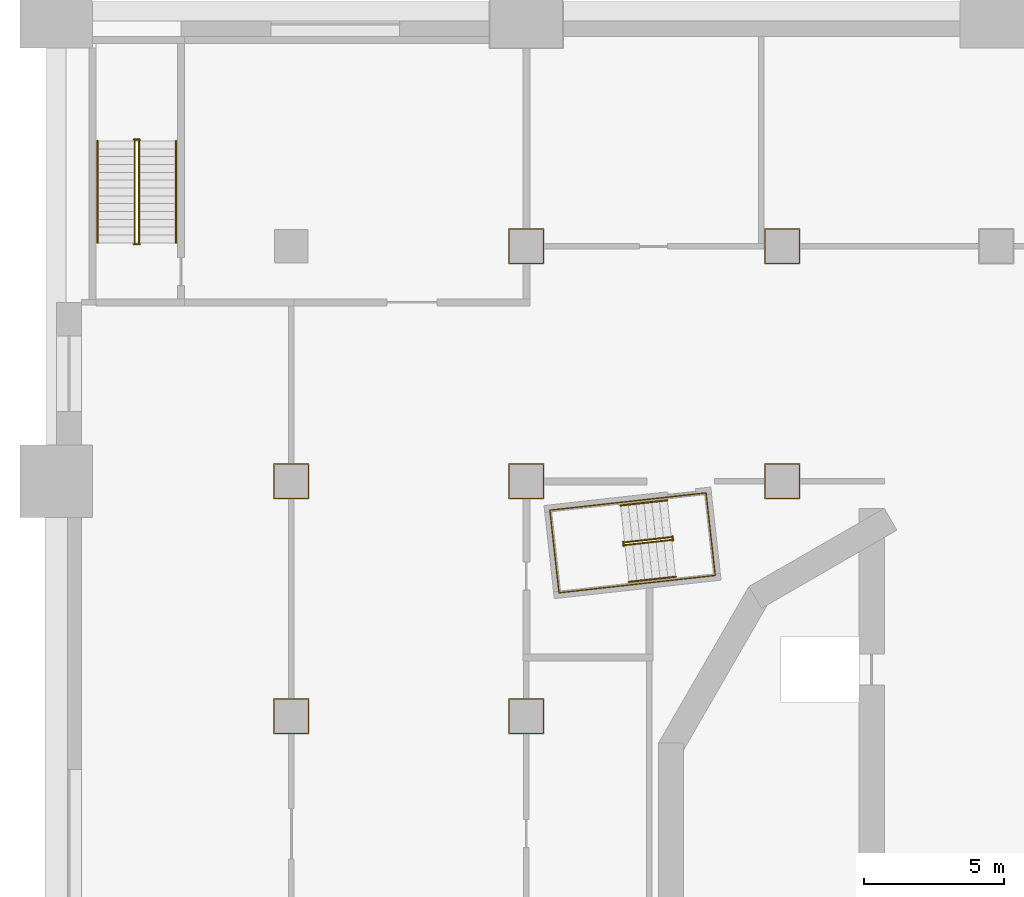
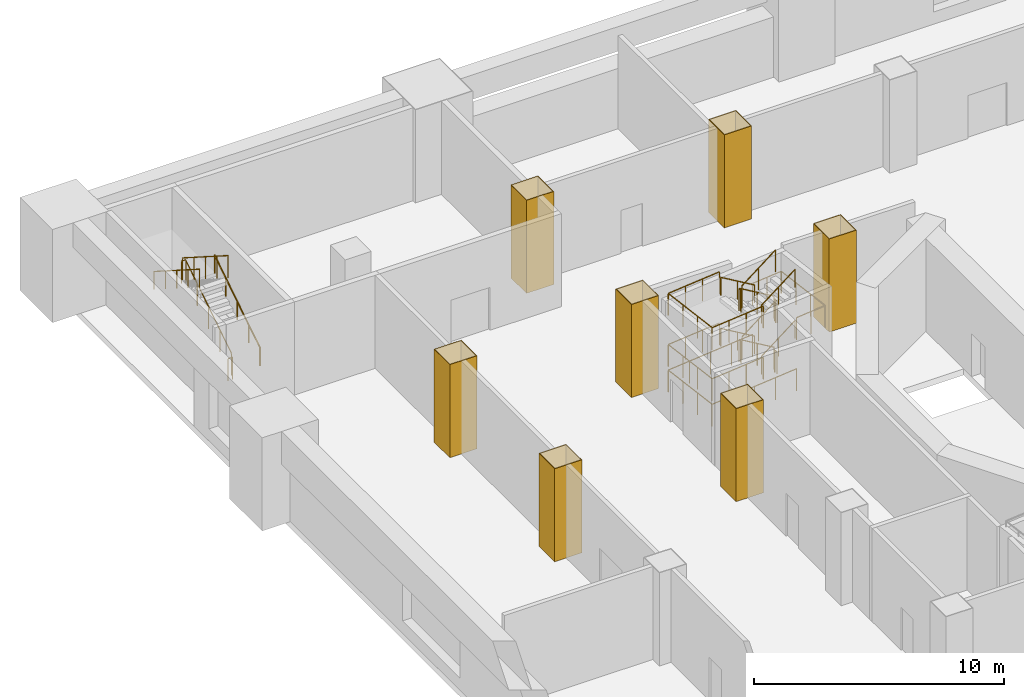
# One storey, part 12 of 17: 19 railings, 7 coverings.
"""IFC4 building model written with IfcOpenShell, lengths in metres."""

import ifcopenshell
import ifcopenshell.guid

model = None  # the IFC model being written
_history = None  # IfcOwnerHistory: only IFC2X3 demands one
_inside = {}  # id of a spatial element -> (the spatial element, [elements in it])
_under = {}  # id of a project, library or spatial element -> (it, [spatial elements below it])
_declared = {}  # id of a project -> (the project, [libraries it declares])
_typed = {}  # id of a type object -> (the type object, [elements of that type])
_made_of = {}  # id of a material, layer set ... -> (it, [elements and type objects made of it])


def new_model(schema):
    """Start an empty IFC model of exactly this schema.

    Asked for "IFC4X3", IfcOpenShell would pick the latest addendum, in which some entities
    have other attributes; the version numbers below select the first issue.
    IFC2X3 requires an IfcOwnerHistory on every rooted entity: one is made here for all.
    """
    global model, _history
    if schema == "IFC4X3":
        model = ifcopenshell.file(schema_version=(4, 3, 0, 0))
    else:
        model = ifcopenshell.file(schema=schema)
    _inside.clear()
    _under.clear()
    _declared.clear()
    _typed.clear()
    _made_of.clear()
    _history = None
    if model.schema == "IFC2X3":
        org = make("IfcOrganization", Name="unknown")
        user = make(
            "IfcPersonAndOrganization",
            ThePerson=make("IfcPerson", FamilyName="unknown"),
            TheOrganization=org,
        )
        app = make(
            "IfcApplication",
            ApplicationDeveloper=org,
            Version="unknown",
            ApplicationFullName="unknown",
            ApplicationIdentifier="unknown",
        )
        _history = make(
            "IfcOwnerHistory",
            OwningUser=user,
            OwningApplication=app,
            ChangeAction="ADDED",
            CreationDate=0,
        )
    return model


def make(cls, **values):
    """One entity of the class cls with the attributes given. An attribute that is None is left unset."""
    return model.create_entity(
        cls, **{name: value for name, value in values.items() if value is not None}
    )


def rooted(cls, **values):
    """An entity with a GlobalId (a new one), such as an element, a storey or a relation."""
    return make(cls, GlobalId=ifcopenshell.guid.new(), OwnerHistory=_history, **values)


def si_unit(unit_type, name, prefix=None):
    """IfcSIUnit, for example si_unit("LENGTHUNIT", "METRE", prefix="MILLI")."""
    return make("IfcSIUnit", UnitType=unit_type, Prefix=prefix, Name=name)


def assignment(units):
    """IfcUnitAssignment: the units of a project."""
    return None if units is None else make("IfcUnitAssignment", Units=units)


def point(xyz):
    """IfcCartesianPoint."""
    return None if xyz is None else make("IfcCartesianPoint", Coordinates=xyz)


def direction(xyz):
    """IfcDirection."""
    return None if xyz is None else make("IfcDirection", DirectionRatios=xyz)


def frame(location, z_axis=None, x_axis=None):
    """IfcAxis2Placement3D, a coordinate frame: its origin and axes. An axis left out is left unset."""
    return make(
        "IfcAxis2Placement3D",
        Location=point(location),
        Axis=direction(z_axis),
        RefDirection=direction(x_axis),
    )


def frame_2d(location, x_axis=None):
    """IfcAxis2Placement2D, a coordinate frame in the plane: its origin and x axis."""
    return make(
        "IfcAxis2Placement2D", Location=point(location), RefDirection=direction(x_axis)
    )


def origin():
    """The frame at (0, 0, 0) with its axes left unset."""
    return frame((0.0, 0.0, 0.0))


def origin_2d():
    """The frame at (0, 0) in the plane with its x axis left unset."""
    return frame_2d((0.0, 0.0))


def place(relative_to, where):
    """IfcLocalPlacement: puts the frame where relative to a parent placement (None: the world)."""
    return make(
        "IfcLocalPlacement", PlacementRelTo=relative_to, RelativePlacement=where
    )


def context(
    kind, dimensions, precision=None, world=None, true_north=None, identifier=None
):
    """IfcGeometricRepresentationContext, for example the 3D "Model" context."""
    return make(
        "IfcGeometricRepresentationContext",
        ContextIdentifier=identifier,
        ContextType=kind,
        CoordinateSpaceDimension=dimensions,
        Precision=precision,
        WorldCoordinateSystem=world,
        TrueNorth=true_north,
    )


def subcontext(parent, identifier, kind, view, scale=None):
    """IfcGeometricRepresentationSubContext, for example "Body" below "Model"."""
    return make(
        "IfcGeometricRepresentationSubContext",
        ContextIdentifier=identifier,
        ContextType=kind,
        ParentContext=parent,
        TargetScale=scale,
        TargetView=view,
    )


def project(units=None, contexts=None):
    """IfcProject with its units and contexts."""
    return rooted(
        "IfcProject",
        Name="project",
        RepresentationContexts=contexts,
        UnitsInContext=assignment(units),
    )


def spatial(cls, under=None, at=None, **own):
    """A site, building, storey or space (cls), placed at a placement, below another one or the project."""
    s = rooted(cls, ObjectPlacement=at, **own)
    if under is not None:
        _under.setdefault(under.id(), (under, []))[1].append(s)
    return s


def polyline(points):
    """IfcPolyline through the points."""
    return make("IfcPolyline", Points=[point(p) for p in points])


def profile(cls, at=None, kind="AREA", **sizes):
    """A parametric profile (cls). Its sizes go by their IFC names, for example OverallWidth=200.0."""
    return make(cls, ProfileType=kind, Position=at, **sizes)


def circle(**sizes):
    """IfcCircleProfileDef."""
    return profile("IfcCircleProfileDef", **sizes)


def outline(outer, holes=None, kind="AREA"):
    """IfcArbitraryClosedProfileDef: a profile drawn as a closed curve; with holes, ...WithVoids."""
    if holes is None:
        return make("IfcArbitraryClosedProfileDef", ProfileType=kind, OuterCurve=outer)
    return make(
        "IfcArbitraryProfileDefWithVoids",
        ProfileType=kind,
        OuterCurve=outer,
        InnerCurves=holes,
    )


def extrude(swept, where, along, depth):
    """IfcExtrudedAreaSolid: the profile swept, set in the frame where, extruded along a direction by depth."""
    return make(
        "IfcExtrudedAreaSolid",
        SweptArea=swept,
        Position=where,
        ExtrudedDirection=direction(along),
        Depth=depth,
    )


def shape(context_of_items, identifier, shape_type, items):
    """IfcShapeRepresentation: the items that make up one representation, for example the "Body"."""
    return make(
        "IfcShapeRepresentation",
        ContextOfItems=context_of_items,
        RepresentationIdentifier=identifier,
        RepresentationType=shape_type,
        Items=items,
    )


def material(Name=None, Category=None):
    """IfcMaterial."""
    return make("IfcMaterial", Name=Name, Category=Category)


def layer(
    of_material, thickness, ventilated=None, Name=None, Category=None, Priority=None
):
    """IfcMaterialLayer: one layer of a wall or slab, of a material (None: an air gap)."""
    return make(
        "IfcMaterialLayer",
        Material=of_material,
        LayerThickness=thickness,
        IsVentilated=ventilated,
        Name=Name,
        Category=Category,
        Priority=Priority,
    )


def layer_set(layers, Name=None):
    """IfcMaterialLayerSet."""
    return make("IfcMaterialLayerSet", MaterialLayers=layers, LayerSetName=Name)


def made_of(thing, what):
    """Note that an element or type object is made of a material, layer set ...; save() writes the relation."""
    if what is not None:
        _made_of.setdefault(what.id(), (what, []))[1].append(thing)
    return thing


def type_object(cls, material=None, **own):
    """A type object (cls), such as IfcWallType, which elements share."""
    return made_of(rooted(cls, **own), material)


def element(
    cls,
    number,
    at=None,
    inside=None,
    cuts=None,
    type_object=None,
    material=None,
    context=None,
    identifier="Body",
    shape_type=None,
    held_by="IfcProductDefinitionShape",
    body=None,
    shapes=None,
    **own,
):
    """One element of the class cls, such as IfcWall. Its Tag is "e" and its number.

    at: its placement. inside: the storey or other place that contains it. cuts: it is an
    opening in that element (IfcRelVoidsElement). A single representation is given by context,
    identifier, shape_type and body (its items); several are given by shapes. held_by: the class
    of the entity that holds the representations. save() writes the other relations.
    """
    e = rooted(cls, Tag="e%d" % number, ObjectPlacement=at, **own)
    if body is not None:
        shapes = [shape(context, identifier, shape_type, body)]
    if shapes is not None:
        e.Representation = make(held_by, Representations=shapes)
    if inside is not None:
        _inside.setdefault(inside.id(), (inside, []))[1].append(e)
    if cuts is not None:
        rooted(
            "IfcRelVoidsElement", RelatingBuildingElement=cuts, RelatedOpeningElement=e
        )
    if type_object is not None:
        _typed.setdefault(type_object.id(), (type_object, []))[1].append(e)
    return made_of(e, material)


def aggregate(whole, parts):
    """IfcRelAggregates: a whole, such as a stair, and the parts it consists of."""
    return rooted("IfcRelAggregates", RelatingObject=whole, RelatedObjects=parts)


def save(model, path):
    """Write the relations noted so far, then the file.

    IfcRelAggregates (storeys below a building ...), IfcRelContainedInSpatialStructure (elements
    in a storey), IfcRelDefinesByType, IfcRelAssociatesMaterial and IfcRelDeclares: one each for
    every whole, place, type object, material and project.
    """
    for whole, parts in _under.values():
        aggregate(whole, parts)
    for where, things in _inside.values():
        rooted(
            "IfcRelContainedInSpatialStructure",
            RelatedElements=things,
            RelatingStructure=where,
        )
    for kind, things in _typed.values():
        rooted("IfcRelDefinesByType", RelatedObjects=things, RelatingType=kind)
    for what, things in _made_of.values():
        rooted("IfcRelAssociatesMaterial", RelatedObjects=things, RelatingMaterial=what)
    for by, libraries in _declared.values():
        rooted("IfcRelDeclares", RelatingContext=by, RelatedDefinitions=libraries)
    model.write(path)


model = new_model("IFC4")

# Units and contexts
model_context = context("Model", 3, precision=1e-05, world=origin(), true_north=direction((0.0, 1.0)))
body_context = subcontext(model_context, "Body", "Model", "MODEL_VIEW")
ifc_project = project(units=[si_unit("LENGTHUNIT", "METRE"), si_unit("AREAUNIT", "SQUARE_METRE"), si_unit("VOLUMEUNIT", "CUBIC_METRE"), si_unit("PLANEANGLEUNIT", "RADIAN"), si_unit("MASSUNIT", "GRAM", prefix="KILO")], contexts=[model_context])

# Site, building, storey
site_placement = place(None, origin())
site = spatial("IfcSite", under=ifc_project, at=site_placement, CompositionType="ELEMENT")
building_placement = place(site_placement, origin())
building = spatial("IfcBuilding", under=site, at=building_placement, Name="Cantera Rosa Tower", CompositionType="ELEMENT")
storey_placement = place(building_placement, frame((0.0, 0.0, 32.0)))
storey = spatial("IfcBuildingStorey", under=building, at=storey_placement, Name="L05", CompositionType="ELEMENT", Elevation=32.0)

# Coverings
ifc_material_1 = material(Name="Plaster")
ifc_layer = layer(ifc_material_1, 0.030029296875)
ifc_layer_set = layer_set([ifc_layer], Name="Column casing 30")
covering_type = type_object("IfcCoveringType", Name="Column casing 30", PredefinedType="CLADDING", material=ifc_layer_set)
covering_1_placement = place(storey_placement, origin())
element("IfcCovering", 1, at=covering_1_placement, inside=storey, type_object=covering_type, Name="Column casing L05-003", PredefinedType="CLADDING", context=body_context, shape_type="SweptSolid", body=[
    extrude(outline(polyline([(-25.830078125, 3.570068359375), (-24.570068359375, 3.570068359375), (-24.570068359375, 4.830078125), (-25.830078125, 4.830078125), (-25.830078125, 3.570068359375)]), holes=[polyline([(-24.60009765625, 4.800048828125), (-25.800048828125, 4.800048828125), (-25.800048828125, 3.60009765625), (-24.60009765625, 3.60009765625), (-24.60009765625, 4.800048828125)])]), origin(), (0.0, 0.0, 1.0), 4.550048828125),
])
covering_2_placement = place(storey_placement, origin())
element("IfcCovering", 2, at=covering_2_placement, inside=storey, type_object=covering_type, Name="Column casing L05-004", PredefinedType="CLADDING", context=body_context, shape_type="SweptSolid", body=[
    extrude(outline(polyline([(-25.830078125, 11.969970703125), (-24.570068359375, 11.969970703125), (-24.570068359375, 13.22998046875), (-25.830078125, 13.22998046875), (-25.830078125, 11.969970703125)]), holes=[polyline([(-24.60009765625, 13.199951171875), (-25.800048828125, 13.199951171875), (-25.800048828125, 12.0), (-24.60009765625, 12.0), (-24.60009765625, 13.199951171875)])]), origin(), (0.0, 0.0, 1.0), 4.550048828125),
])
covering_3_placement = place(storey_placement, origin())
element("IfcCovering", 3, at=covering_3_placement, inside=storey, type_object=covering_type, Name="Column casing L05-009", PredefinedType="CLADDING", context=body_context, shape_type="SweptSolid", body=[
    extrude(outline(polyline([(-17.429931640625, 3.570068359375), (-16.169921875, 3.570068359375), (-16.169921875, 4.830078125), (-17.429931640625, 4.830078125), (-17.429931640625, 3.570068359375)]), holes=[polyline([(-16.199951171875, 4.800048828125), (-17.39990234375, 4.800048828125), (-17.39990234375, 3.60009765625), (-16.199951171875, 3.60009765625), (-16.199951171875, 4.800048828125)])]), origin(), (0.0, 0.0, 1.0), 4.550048828125),
])
covering_4_placement = place(storey_placement, origin())
element("IfcCovering", 4, at=covering_4_placement, inside=storey, type_object=covering_type, Name="Column casing L05-010", PredefinedType="CLADDING", context=body_context, shape_type="SweptSolid", body=[
    extrude(outline(polyline([(-17.429931640625, 11.969970703125), (-16.169921875, 11.969970703125), (-16.169921875, 13.22998046875), (-17.429931640625, 13.22998046875), (-17.429931640625, 11.969970703125)]), holes=[polyline([(-16.199951171875, 13.199951171875), (-17.39990234375, 13.199951171875), (-17.39990234375, 12.0), (-16.199951171875, 12.0), (-16.199951171875, 13.199951171875)])]), origin(), (0.0, 0.0, 1.0), 4.550048828125),
])
covering_5_placement = place(storey_placement, origin())
element("IfcCovering", 5, at=covering_5_placement, inside=storey, type_object=covering_type, Name="Column casing L05-011", PredefinedType="CLADDING", context=body_context, shape_type="SweptSolid", body=[
    extrude(outline(polyline([(-17.429931640625, 20.3701171875), (-16.169921875, 20.3701171875), (-16.169921875, 21.6298828125), (-17.429931640625, 21.6298828125), (-17.429931640625, 20.3701171875)]), holes=[polyline([(-16.199951171875, 21.60009765625), (-17.39990234375, 21.60009765625), (-17.39990234375, 20.39990234375), (-16.199951171875, 20.39990234375), (-16.199951171875, 21.60009765625)])]), origin(), (0.0, 0.0, 1.0), 4.550048828125),
])
covering_6_placement = place(storey_placement, origin())
element("IfcCovering", 6, at=covering_6_placement, inside=storey, type_object=covering_type, Name="Column casing L05-015", PredefinedType="CLADDING", context=body_context, shape_type="SweptSolid", body=[
    extrude(outline(polyline([(-8.280029296875, 11.969970703125), (-7.02001953125, 11.969970703125), (-7.02001953125, 13.22998046875), (-8.280029296875, 13.22998046875), (-8.280029296875, 11.969970703125)]), holes=[polyline([(-7.050048828125, 13.199951171875), (-8.25, 13.199951171875), (-8.25, 12.0), (-7.050048828125, 12.0), (-7.050048828125, 13.199951171875)])]), origin(), (0.0, 0.0, 1.0), 4.550048828125),
])
covering_7_placement = place(storey_placement, origin())
element("IfcCovering", 7, at=covering_7_placement, inside=storey, type_object=covering_type, Name="Column casing L05-016", PredefinedType="CLADDING", context=body_context, shape_type="SweptSolid", body=[
    extrude(outline(polyline([(-8.280029296875, 20.3701171875), (-7.02001953125, 20.3701171875), (-7.02001953125, 21.6298828125), (-8.280029296875, 21.6298828125), (-8.280029296875, 20.3701171875)]), holes=[polyline([(-7.050048828125, 21.60009765625), (-8.25, 21.60009765625), (-8.25, 20.39990234375), (-7.050048828125, 20.39990234375), (-7.050048828125, 21.60009765625)])]), origin(), (0.0, 0.0, 1.0), 4.550048828125),
])

# Railings
ifc_material_2 = material(Name="Steel S355J2 (EN 10025-2)", Category="steel")
railing_type_1 = type_object("IfcRailingType", Name="STAIR GUARD 1100", PredefinedType="GUARDRAIL", material=ifc_material_2)
railing_1_placement = place(storey_placement, frame((-11.614013671875, 10.60302734375, 0.178466796875)))
element("IfcRailing", 8, at=railing_1_placement, inside=storey, type_object=railing_type_1, Name="L05 ST-12 stair guard 1", PredefinedType="GUARDRAIL", context=body_context, shape_type="SweptSolid", body=[
    extrude(circle(Radius=0.02392578125, at=origin_2d()), frame((0.0, 0.0, 1.076171875), z_axis=(-0.837950904326, -0.092996744609, 0.537763784046), x_axis=(0.110303920128, -0.993897904819, 0.0)), (0.0, 0.0, 1.0), 1.99267578125),
    extrude(circle(Radius=0.02392578125, at=origin_2d()), frame((-1.669677734375, -0.185302734375, 2.1474609375), z_axis=(-0.931434406233, 0.363909256389, 0.0), x_axis=(-0.363909256389, -0.931434406233, 0.0)), (0.0, 0.0, 1.0), 0.056396484375),
    extrude(circle(Radius=0.02392578125, at=origin_2d()), frame((-1.72216796875, -0.164794921875, 2.1474609375), z_axis=(0.1090029065, -0.994041430915, 0.0), x_axis=(0.994041430915, 0.1090029065, 0.0)), (0.0, 0.0, 1.0), 0.150146484375),
    extrude(circle(Radius=0.02099609375, at=origin_2d()), origin(), (0.0, 0.0, 1.0), 1.052001953125),
    extrude(circle(Radius=0.02099609375, at=origin_2d()), frame((-0.8349609375, -0.0927734375, 0.53564453125)), (0.0, 0.0, 1.0), 1.052001953125),
    extrude(circle(Radius=0.02099609375, at=origin_2d()), frame((-1.669677734375, -0.185302734375, 1.071533203125)), (0.0, 0.0, 1.0), 1.052001953125),
    extrude(circle(Radius=0.02099609375, at=origin_2d()), frame((-1.72216796875, -0.164794921875, 1.071533203125)), (0.0, 0.0, 1.0), 1.052001953125),
    extrude(circle(Radius=0.02099609375, at=origin_2d()), frame((-1.705810546875, -0.31396484375, 1.071533203125)), (0.0, 0.0, 1.0), 1.052001953125),
])
railing_2_placement = place(storey_placement, frame((-13.27294921875, 10.3203125, 1.428466796875)))
element("IfcRailing", 9, at=railing_2_placement, inside=storey, type_object=railing_type_1, Name="L05 ST-12 stair guard 2", PredefinedType="GUARDRAIL", context=body_context, shape_type="SweptSolid", body=[
    extrude(circle(Radius=0.02392578125, at=origin_2d()), frame((0.0, 0.0, 1.076171875), z_axis=(0.837987391448, 0.092987197384, 0.537708576179), x_axis=(-0.11028798999, 0.993899672635, 0.0)), (0.0, 0.0, 1.0), 1.99267578125),
    extrude(circle(Radius=0.02392578125, at=origin_2d()), frame((1.669921875, 0.185302734375, 2.1474609375), z_axis=(0.932897555956, -0.360141847183, 0.0), x_axis=(0.360141847183, 0.932897555956, 0.0)), (0.0, 0.0, 1.0), 0.05615234375),
    extrude(circle(Radius=0.02392578125, at=origin_2d()), frame((1.722412109375, 0.1650390625, 2.1474609375), z_axis=(-0.110610055588, 0.993863881828, 0.0), x_axis=(-0.993863881828, -0.110610055588, 0.0)), (0.0, 0.0, 1.0), 0.150146484375),
    extrude(circle(Radius=0.02099609375, at=origin_2d()), origin(), (0.0, 0.0, 1.0), 1.052001953125),
    extrude(circle(Radius=0.02099609375, at=origin_2d()), frame((0.8349609375, 0.0927734375, 0.53564453125)), (0.0, 0.0, 1.0), 1.052001953125),
    extrude(circle(Radius=0.02099609375, at=origin_2d()), frame((1.669921875, 0.185302734375, 1.071533203125)), (0.0, 0.0, 1.0), 1.052001953125),
    extrude(circle(Radius=0.02099609375, at=origin_2d()), frame((1.722412109375, 0.1650390625, 1.071533203125)), (0.0, 0.0, 1.0), 1.052001953125),
    extrude(circle(Radius=0.02099609375, at=origin_2d()), frame((1.705810546875, 0.314208984375, 1.071533203125)), (0.0, 0.0, 1.0), 1.052001953125),
])
railing_3_placement = place(storey_placement, frame((-11.614013671875, 10.60302734375, 2.678466796875)))
element("IfcRailing", 10, at=railing_3_placement, inside=storey, type_object=railing_type_1, Name="L05 ST-12 stair guard 3", PredefinedType="GUARDRAIL", context=body_context, shape_type="SweptSolid", body=[
    extrude(circle(Radius=0.02392578125, at=origin_2d()), frame((0.0, 0.0, 1.076171875), z_axis=(-0.837950904326, -0.092996744609, 0.537763784046), x_axis=(0.110303920128, -0.993897904819, 0.0)), (0.0, 0.0, 1.0), 1.99267578125),
    extrude(circle(Radius=0.02392578125, at=origin_2d()), frame((-1.669677734375, -0.185302734375, 2.1474609375), z_axis=(-0.931434406233, 0.363909256389, 0.0), x_axis=(-0.363909256389, -0.931434406233, 0.0)), (0.0, 0.0, 1.0), 0.056396484375),
    extrude(circle(Radius=0.02392578125, at=origin_2d()), frame((-1.72216796875, -0.164794921875, 2.1474609375), z_axis=(0.1090029065, -0.994041430915, 0.0), x_axis=(0.994041430915, 0.1090029065, 0.0)), (0.0, 0.0, 1.0), 0.150146484375),
    extrude(circle(Radius=0.02099609375, at=origin_2d()), origin(), (0.0, 0.0, 1.0), 1.052001953125),
    extrude(circle(Radius=0.02099609375, at=origin_2d()), frame((-0.8349609375, -0.0927734375, 0.53564453125)), (0.0, 0.0, 1.0), 1.052001953125),
    extrude(circle(Radius=0.02099609375, at=origin_2d()), frame((-1.669677734375, -0.185302734375, 1.071533203125)), (0.0, 0.0, 1.0), 1.052001953125),
    extrude(circle(Radius=0.02099609375, at=origin_2d()), frame((-1.72216796875, -0.164794921875, 1.071533203125)), (0.0, 0.0, 1.0), 1.052001953125),
    extrude(circle(Radius=0.02099609375, at=origin_2d()), frame((-1.705810546875, -0.31396484375, 1.071533203125)), (0.0, 0.0, 1.0), 1.052001953125),
])
railing_4_placement = place(storey_placement, frame((-13.27294921875, 10.3203125, 3.928466796875)))
element("IfcRailing", 11, at=railing_4_placement, inside=storey, type_object=railing_type_1, Name="L05 ST-12 stair guard 4", PredefinedType="GUARDRAIL", context=body_context, shape_type="SweptSolid", body=[
    extrude(circle(Radius=0.02392578125, at=origin_2d()), frame((0.0, 0.0, 1.076171875), z_axis=(0.837987391448, 0.092987197384, 0.537708576179), x_axis=(-0.11028798999, 0.993899672635, 0.0)), (0.0, 0.0, 1.0), 1.99267578125),
    extrude(circle(Radius=0.02099609375, at=origin_2d()), origin(), (0.0, 0.0, 1.0), 1.052001953125),
    extrude(circle(Radius=0.02099609375, at=origin_2d()), frame((0.8349609375, 0.0927734375, 0.53564453125)), (0.0, 0.0, 1.0), 1.052001953125),
    extrude(circle(Radius=0.02099609375, at=origin_2d()), frame((1.669921875, 0.185302734375, 1.071533203125)), (0.0, 0.0, 1.0), 1.052001953125),
])
railing_5_placement = place(storey_placement, frame((-11.567138671875, 10.634521484375, 0.0)))
element("IfcRailing", 12, at=railing_5_placement, inside=storey, type_object=railing_type_1, Name="L05 ST-12 stair guard 5", PredefinedType="GUARDRAIL", context=body_context, shape_type="SweptSolid", body=[
    extrude(circle(Radius=0.02392578125, at=origin_2d()), frame((0.0, 0.0, 1.076171875), z_axis=(0.110610055588, -0.993863881828, 0.0), x_axis=(0.993863881828, 0.110610055588, 0.0)), (0.0, 0.0, 1.0), 0.150146484375),
    extrude(circle(Radius=0.02099609375, at=origin_2d()), origin(), (0.0, 0.0, 1.0), 1.052001953125),
    extrude(circle(Radius=0.02099609375, at=origin_2d()), frame((0.0166015625, -0.149169921875, 0.0)), (0.0, 0.0, 1.0), 1.052001953125),
])
railing_6_placement = place(storey_placement, frame((-11.7841796875, 12.029052734375, 0.0)))
element("IfcRailing", 13, at=railing_6_placement, inside=storey, type_object=railing_type_1, Name="L05 ST-12 stair guard 6", PredefinedType="GUARDRAIL", context=body_context, shape_type="SweptSolid", body=[
    extrude(circle(Radius=0.02392578125, at=origin_2d()), frame((0.0, 0.0, 1.076171875), z_axis=(-0.9938957856, -0.110323013767, 0.0), x_axis=(0.110323013767, -0.9938957856, 0.0)), (0.0, 0.0, 1.0), 4.197998046875),
    extrude(circle(Radius=0.02392578125, at=origin_2d()), frame((-4.17236328125, -0.463134765625, 1.076171875), z_axis=(0.11023303584, -0.99390576908, 0.0), x_axis=(0.99390576908, 0.11023303584, 0.0)), (0.0, 0.0, 1.0), 2.969970703125),
    extrude(circle(Radius=0.02392578125, at=origin_2d()), frame((-3.844970703125, -3.4150390625, 1.076171875), z_axis=(0.993896493372, 0.11031663729, 0.0), x_axis=(-0.11031663729, 0.993896493372, 0.0)), (0.0, 0.0, 1.0), 4.1982421875),
    extrude(circle(Radius=0.02099609375, at=origin_2d()), origin(), (0.0, 0.0, 1.0), 1.052001953125),
    extrude(circle(Radius=0.02099609375, at=origin_2d()), frame((-1.04296875, -0.11572265625, 0.0)), (0.0, 0.0, 1.0), 1.052001953125),
    extrude(circle(Radius=0.02099609375, at=origin_2d()), frame((-2.086181640625, -0.2314453125, 0.0)), (0.0, 0.0, 1.0), 1.052001953125),
    extrude(circle(Radius=0.02099609375, at=origin_2d()), frame((-3.12939453125, -0.347412109375, 0.0)), (0.0, 0.0, 1.0), 1.052001953125),
    extrude(circle(Radius=0.02099609375, at=origin_2d()), frame((-4.17236328125, -0.463134765625, 0.0)), (0.0, 0.0, 1.0), 1.052001953125),
    extrude(circle(Radius=0.02099609375, at=origin_2d()), frame((-4.063232421875, -1.447021484375, 0.0)), (0.0, 0.0, 1.0), 1.052001953125),
    extrude(circle(Radius=0.02099609375, at=origin_2d()), frame((-3.9541015625, -2.43115234375, 0.0)), (0.0, 0.0, 1.0), 1.052001953125),
    extrude(circle(Radius=0.02099609375, at=origin_2d()), frame((-3.844970703125, -3.4150390625, 0.0)), (0.0, 0.0, 1.0), 1.052001953125),
    extrude(circle(Radius=0.02099609375, at=origin_2d()), frame((-2.8017578125, -3.29931640625, 0.0)), (0.0, 0.0, 1.0), 1.052001953125),
    extrude(circle(Radius=0.02099609375, at=origin_2d()), frame((-1.7587890625, -3.18359375, 0.0)), (0.0, 0.0, 1.0), 1.052001953125),
    extrude(circle(Radius=0.02099609375, at=origin_2d()), frame((-0.715576171875, -3.067626953125, 0.0)), (0.0, 0.0, 1.0), 1.052001953125),
    extrude(circle(Radius=0.02099609375, at=origin_2d()), frame((0.32763671875, -2.951904296875, 0.0)), (0.0, 0.0, 1.0), 1.052001953125),
])
railing_7_placement = place(storey_placement, frame((-13.43017578125, 11.846435546875, 1.25)))
element("IfcRailing", 14, at=railing_7_placement, inside=storey, type_object=railing_type_1, Name="L05 ST-12 stair guard 7", PredefinedType="GUARDRAIL", context=body_context, shape_type="SweptSolid", body=[
    extrude(circle(Radius=0.02392578125, at=origin_2d()), frame((0.0, 0.0, 1.076171875), z_axis=(-0.993891931048, -0.110357733743, 0.0), x_axis=(0.110357733743, -0.993891931048, 0.0)), (0.0, 0.0, 1.0), 2.5419921875),
    extrude(circle(Radius=0.02392578125, at=origin_2d()), frame((-2.5263671875, -0.280517578125, 1.076171875), z_axis=(0.11023303584, -0.99390576908, 0.0), x_axis=(0.99390576908, 0.11023303584, 0.0)), (0.0, 0.0, 1.0), 2.969970703125),
    extrude(circle(Radius=0.02392578125, at=origin_2d()), frame((-2.198974609375, -3.232421875, 1.076171875), z_axis=(0.993893100618, 0.110347199982, 0.0), x_axis=(-0.110347199982, 0.993893100618, 0.0)), (0.0, 0.0, 1.0), 2.542236328125),
    extrude(circle(Radius=0.02099609375, at=origin_2d()), origin(), (0.0, 0.0, 1.0), 1.052001953125),
    extrude(circle(Radius=0.02099609375, at=origin_2d()), frame((-0.842041015625, -0.093505859375, 0.0)), (0.0, 0.0, 1.0), 1.052001953125),
    extrude(circle(Radius=0.02099609375, at=origin_2d()), frame((-1.684326171875, -0.18701171875, 0.0)), (0.0, 0.0, 1.0), 1.052001953125),
    extrude(circle(Radius=0.02099609375, at=origin_2d()), frame((-2.5263671875, -0.280517578125, 0.0)), (0.0, 0.0, 1.0), 1.052001953125),
    extrude(circle(Radius=0.02099609375, at=origin_2d()), frame((-2.417236328125, -1.264404296875, 0.0)), (0.0, 0.0, 1.0), 1.052001953125),
    extrude(circle(Radius=0.02099609375, at=origin_2d()), frame((-2.30810546875, -2.24853515625, 0.0)), (0.0, 0.0, 1.0), 1.052001953125),
    extrude(circle(Radius=0.02099609375, at=origin_2d()), frame((-2.198974609375, -3.232421875, 0.0)), (0.0, 0.0, 1.0), 1.052001953125),
    extrude(circle(Radius=0.02099609375, at=origin_2d()), frame((-1.356689453125, -3.138916015625, 0.0)), (0.0, 0.0, 1.0), 1.052001953125),
    extrude(circle(Radius=0.02099609375, at=origin_2d()), frame((-0.5146484375, -3.04541015625, 0.0)), (0.0, 0.0, 1.0), 1.052001953125),
    extrude(circle(Radius=0.02099609375, at=origin_2d()), frame((0.32763671875, -2.951904296875, 0.0)), (0.0, 0.0, 1.0), 1.052001953125),
])
railing_8_placement = place(storey_placement, frame((-11.7841796875, 12.029052734375, 2.5)))
element("IfcRailing", 15, at=railing_8_placement, inside=storey, type_object=railing_type_1, Name="L05 ST-12 stair guard 8", PredefinedType="GUARDRAIL", context=body_context, shape_type="SweptSolid", body=[
    extrude(circle(Radius=0.02392578125, at=origin_2d()), frame((0.0, 0.0, 1.076171875), z_axis=(0.993887921413, 0.110393838913, 0.0), x_axis=(-0.110393838913, 0.993887921413, 0.0)), (0.0, 0.0, 1.0), 1.422119140625),
    extrude(circle(Radius=0.02392578125, at=origin_2d()), frame((1.413330078125, 0.156982421875, 1.076171875), z_axis=(0.11023303584, -0.99390576908, 0.0), x_axis=(0.99390576908, 0.11023303584, 0.0)), (0.0, 0.0, 1.0), 2.969970703125),
    extrude(circle(Radius=0.02392578125, at=origin_2d()), frame((1.74072265625, -2.794921875, 1.076171875), z_axis=(-0.993885828579, -0.110412679298, 0.0), x_axis=(0.110412679298, -0.993885828579, 0.0)), (0.0, 0.0, 1.0), 1.421875),
    extrude(circle(Radius=0.02099609375, at=origin_2d()), origin(), (0.0, 0.0, 1.0), 1.052001953125),
    extrude(circle(Radius=0.02099609375, at=origin_2d()), frame((0.70654296875, 0.07861328125, 0.0)), (0.0, 0.0, 1.0), 1.052001953125),
    extrude(circle(Radius=0.02099609375, at=origin_2d()), frame((1.413330078125, 0.156982421875, 0.0)), (0.0, 0.0, 1.0), 1.052001953125),
    extrude(circle(Radius=0.02099609375, at=origin_2d()), frame((1.5224609375, -0.826904296875, 0.0)), (0.0, 0.0, 1.0), 1.052001953125),
    extrude(circle(Radius=0.02099609375, at=origin_2d()), frame((1.631591796875, -1.81103515625, 0.0)), (0.0, 0.0, 1.0), 1.052001953125),
    extrude(circle(Radius=0.02099609375, at=origin_2d()), frame((1.74072265625, -2.794921875, 0.0)), (0.0, 0.0, 1.0), 1.052001953125),
    extrude(circle(Radius=0.02099609375, at=origin_2d()), frame((1.0341796875, -2.87353515625, 0.0)), (0.0, 0.0, 1.0), 1.052001953125),
    extrude(circle(Radius=0.02099609375, at=origin_2d()), frame((0.32763671875, -2.951904296875, 0.0)), (0.0, 0.0, 1.0), 1.052001953125),
])
railing_9_placement = place(storey_placement, frame((-13.43017578125, 11.846435546875, 3.75)))
element("IfcRailing", 16, at=railing_9_placement, inside=storey, type_object=railing_type_1, Name="L05 ST-12 stair guard 9", PredefinedType="GUARDRAIL", context=body_context, shape_type="SweptSolid", body=[
    extrude(circle(Radius=0.02392578125, at=origin_2d()), frame((0.0, 0.0, 1.076171875), z_axis=(-0.993891931048, -0.110357733743, 0.0), x_axis=(0.110357733743, -0.993891931048, 0.0)), (0.0, 0.0, 1.0), 2.5419921875),
    extrude(circle(Radius=0.02392578125, at=origin_2d()), frame((-2.5263671875, -0.280517578125, 1.076171875), z_axis=(0.11023303584, -0.99390576908, 0.0), x_axis=(0.99390576908, 0.11023303584, 0.0)), (0.0, 0.0, 1.0), 2.969970703125),
    extrude(circle(Radius=0.02392578125, at=origin_2d()), frame((-2.198974609375, -3.232421875, 1.076171875), z_axis=(0.993893100618, 0.110347199982, 0.0), x_axis=(-0.110347199982, 0.993893100618, 0.0)), (0.0, 0.0, 1.0), 2.542236328125),
    extrude(circle(Radius=0.02099609375, at=origin_2d()), origin(), (0.0, 0.0, 1.0), 1.052001953125),
    extrude(circle(Radius=0.02099609375, at=origin_2d()), frame((-0.842041015625, -0.093505859375, 0.0)), (0.0, 0.0, 1.0), 1.052001953125),
    extrude(circle(Radius=0.02099609375, at=origin_2d()), frame((-1.684326171875, -0.18701171875, 0.0)), (0.0, 0.0, 1.0), 1.052001953125),
    extrude(circle(Radius=0.02099609375, at=origin_2d()), frame((-2.5263671875, -0.280517578125, 0.0)), (0.0, 0.0, 1.0), 1.052001953125),
    extrude(circle(Radius=0.02099609375, at=origin_2d()), frame((-2.417236328125, -1.264404296875, 0.0)), (0.0, 0.0, 1.0), 1.052001953125),
    extrude(circle(Radius=0.02099609375, at=origin_2d()), frame((-2.30810546875, -2.24853515625, 0.0)), (0.0, 0.0, 1.0), 1.052001953125),
    extrude(circle(Radius=0.02099609375, at=origin_2d()), frame((-2.198974609375, -3.232421875, 0.0)), (0.0, 0.0, 1.0), 1.052001953125),
    extrude(circle(Radius=0.02099609375, at=origin_2d()), frame((-1.356689453125, -3.138916015625, 0.0)), (0.0, 0.0, 1.0), 1.052001953125),
    extrude(circle(Radius=0.02099609375, at=origin_2d()), frame((-0.5146484375, -3.04541015625, 0.0)), (0.0, 0.0, 1.0), 1.052001953125),
    extrude(circle(Radius=0.02099609375, at=origin_2d()), frame((0.32763671875, -2.951904296875, 0.0)), (0.0, 0.0, 1.0), 1.052001953125),
])
railing_10_placement = place(storey_placement, frame((-30.65087890625, 21.125, 0.178466796875)))
element("IfcRailing", 17, at=railing_10_placement, inside=storey, type_object=railing_type_1, Name="L05 ST-NW stair guard 1", PredefinedType="GUARDRAIL", context=body_context, shape_type="SweptSolid", body=[
    extrude(circle(Radius=0.02392578125, at=origin_2d()), frame((0.0, 0.0, 1.076171875), z_axis=(0.0, 0.843111507901, 0.53773877045), x_axis=(-1.0, 0.0, 0.0)), (0.0, 0.0, 1.0), 4.317138671875),
    extrude(circle(Radius=0.02099609375, at=origin_2d()), origin(), (0.0, 0.0, 1.0), 1.052001953125),
    extrude(circle(Radius=0.02099609375, at=origin_2d()), frame((0.0, 0.909912109375, 0.580322265625)), (0.0, 0.0, 1.0), 1.052001953125),
    extrude(circle(Radius=0.02099609375, at=origin_2d()), frame((0.0, 1.81982421875, 1.16064453125)), (0.0, 0.0, 1.0), 1.052001953125),
    extrude(circle(Radius=0.02099609375, at=origin_2d()), frame((0.0, 2.72998046875, 1.7412109375)), (0.0, 0.0, 1.0), 1.052001953125),
    extrude(circle(Radius=0.02099609375, at=origin_2d()), frame((0.0, 3.639892578125, 2.321533203125)), (0.0, 0.0, 1.0), 1.052001953125),
])
railing_11_placement = place(storey_placement, frame((-30.625, 24.81494140625, 2.5)))
element("IfcRailing", 18, at=railing_11_placement, inside=storey, type_object=railing_type_1, Name="L05 ST-NW stair guard 2", PredefinedType="GUARDRAIL", context=body_context, shape_type="SweptSolid", body=[
    extrude(circle(Radius=0.02392578125, at=origin_2d()), frame((0.0, 0.0, 1.076171875), z_axis=(-1.0, 0.0, 0.0), x_axis=(0.0, -1.0, 0.0)), (0.0, 0.0, 1.0), 0.199951171875),
    extrude(circle(Radius=0.02099609375, at=origin_2d()), origin(), (0.0, 0.0, 1.0), 1.052001953125),
    extrude(circle(Radius=0.02099609375, at=origin_2d()), frame((-0.199951171875, 0.0, 0.0)), (0.0, 0.0, 1.0), 1.052001953125),
])
railing_12_placement = place(storey_placement, frame((-30.799072265625, 24.764892578125, 2.678466796875)))
element("IfcRailing", 19, at=railing_12_placement, inside=storey, type_object=railing_type_1, Name="L05 ST-NW stair guard 3", PredefinedType="GUARDRAIL", context=body_context, shape_type="SweptSolid", body=[
    extrude(circle(Radius=0.02392578125, at=origin_2d()), frame((0.0, 0.0, 1.076171875), z_axis=(0.0, -0.843111507901, 0.53773877045), x_axis=(1.0, 0.0, 0.0)), (0.0, 0.0, 1.0), 4.317138671875),
    extrude(circle(Radius=0.02099609375, at=origin_2d()), origin(), (0.0, 0.0, 1.0), 1.052001953125),
    extrude(circle(Radius=0.02099609375, at=origin_2d()), frame((0.0, -0.909912109375, 0.580322265625)), (0.0, 0.0, 1.0), 1.052001953125),
    extrude(circle(Radius=0.02099609375, at=origin_2d()), frame((0.0, -1.81982421875, 1.16064453125)), (0.0, 0.0, 1.0), 1.052001953125),
    extrude(circle(Radius=0.02099609375, at=origin_2d()), frame((0.0, -2.72998046875, 1.7412109375)), (0.0, 0.0, 1.0), 1.052001953125),
    extrude(circle(Radius=0.02099609375, at=origin_2d()), frame((0.0, -3.639892578125, 2.321533203125)), (0.0, 0.0, 1.0), 1.052001953125),
])
railing_13_placement = place(storey_placement, frame((-30.625, 21.074951171875, 0.0)))
element("IfcRailing", 20, at=railing_13_placement, inside=storey, type_object=railing_type_1, Name="L05 ST-NW stair guard 4", PredefinedType="GUARDRAIL", context=body_context, shape_type="SweptSolid", body=[
    extrude(circle(Radius=0.02392578125, at=origin_2d()), frame((0.0, 0.0, 1.076171875), z_axis=(-1.0, 0.0, 0.0), x_axis=(0.0, -1.0, 0.0)), (0.0, 0.0, 1.0), 0.199951171875),
    extrude(circle(Radius=0.02099609375, at=origin_2d()), origin(), (0.0, 0.0, 1.0), 1.052001953125),
    extrude(circle(Radius=0.02099609375, at=origin_2d()), frame((-0.199951171875, 0.0, 0.0)), (0.0, 0.0, 1.0), 1.052001953125),
])
ifc_material_3 = material(Name="Steel S355J2 (EN 10025-2)", Category="steel")
railing_type_2 = type_object("IfcRailingType", Name="STAIR HANDRAIL 900", PredefinedType="HANDRAIL", material=ifc_material_3)
railing_14_placement = place(storey_placement, frame((-11.76025390625, 11.921142578125, 0.178466796875)))
element("IfcRailing", 21, at=railing_14_placement, inside=storey, type_object=railing_type_2, Name="L05 ST-12 stair handrail 1", PredefinedType="HANDRAIL", context=body_context, shape_type="SweptSolid", body=[
    extrude(circle(Radius=0.02392578125, at=origin_2d()), frame((0.0, 0.0, 0.8759765625), z_axis=(-0.837950904326, -0.092996744609, 0.537763784046), x_axis=(0.110303920128, -0.993897904819, 0.0)), (0.0, 0.0, 1.0), 1.99267578125),
    extrude(circle(Radius=0.02099609375, at=origin_2d()), origin(), (0.0, 0.0, 1.0), 0.851806640625),
    extrude(circle(Radius=0.02099609375, at=origin_2d()), frame((-0.8349609375, -0.0927734375, 0.53564453125)), (0.0, 0.0, 1.0), 0.851806640625),
    extrude(circle(Radius=0.02099609375, at=origin_2d()), frame((-1.669677734375, -0.185302734375, 1.071533203125)), (0.0, 0.0, 1.0), 0.851806640625),
])
railing_15_placement = place(storey_placement, frame((-13.126708984375, 9.00244140625, 1.428466796875)))
element("IfcRailing", 22, at=railing_15_placement, inside=storey, type_object=railing_type_2, Name="L05 ST-12 stair handrail 2", PredefinedType="HANDRAIL", context=body_context, shape_type="SweptSolid", body=[
    extrude(circle(Radius=0.02392578125, at=origin_2d()), frame((0.0, 0.0, 0.8759765625), z_axis=(0.837987391448, 0.092987197384, 0.537708576179), x_axis=(-0.11028798999, 0.993899672635, 0.0)), (0.0, 0.0, 1.0), 1.99267578125),
    extrude(circle(Radius=0.02099609375, at=origin_2d()), origin(), (0.0, 0.0, 1.0), 0.851806640625),
    extrude(circle(Radius=0.02099609375, at=origin_2d()), frame((0.8349609375, 0.0927734375, 0.53564453125)), (0.0, 0.0, 1.0), 0.851806640625),
    extrude(circle(Radius=0.02099609375, at=origin_2d()), frame((1.669921875, 0.185302734375, 1.071533203125)), (0.0, 0.0, 1.0), 0.851806640625),
])
railing_16_placement = place(storey_placement, frame((-11.76025390625, 11.921142578125, 2.678466796875)))
element("IfcRailing", 23, at=railing_16_placement, inside=storey, type_object=railing_type_2, Name="L05 ST-12 stair handrail 3", PredefinedType="HANDRAIL", context=body_context, shape_type="SweptSolid", body=[
    extrude(circle(Radius=0.02392578125, at=origin_2d()), frame((0.0, 0.0, 0.8759765625), z_axis=(-0.837950904326, -0.092996744609, 0.537763784046), x_axis=(0.110303920128, -0.993897904819, 0.0)), (0.0, 0.0, 1.0), 1.99267578125),
    extrude(circle(Radius=0.02099609375, at=origin_2d()), origin(), (0.0, 0.0, 1.0), 0.851806640625),
    extrude(circle(Radius=0.02099609375, at=origin_2d()), frame((-0.8349609375, -0.0927734375, 0.53564453125)), (0.0, 0.0, 1.0), 0.851806640625),
    extrude(circle(Radius=0.02099609375, at=origin_2d()), frame((-1.669677734375, -0.185302734375, 1.071533203125)), (0.0, 0.0, 1.0), 0.851806640625),
])
railing_17_placement = place(storey_placement, frame((-13.126708984375, 9.00244140625, 3.928466796875)))
element("IfcRailing", 24, at=railing_17_placement, inside=storey, type_object=railing_type_2, Name="L05 ST-12 stair handrail 4", PredefinedType="HANDRAIL", context=body_context, shape_type="SweptSolid", body=[
    extrude(circle(Radius=0.02392578125, at=origin_2d()), frame((0.0, 0.0, 0.8759765625), z_axis=(0.837987391448, 0.092987197384, 0.537708576179), x_axis=(-0.11028798999, 0.993899672635, 0.0)), (0.0, 0.0, 1.0), 1.99267578125),
    extrude(circle(Radius=0.02099609375, at=origin_2d()), origin(), (0.0, 0.0, 1.0), 0.851806640625),
    extrude(circle(Radius=0.02099609375, at=origin_2d()), frame((0.8349609375, 0.0927734375, 0.53564453125)), (0.0, 0.0, 1.0), 0.851806640625),
    extrude(circle(Radius=0.02099609375, at=origin_2d()), frame((1.669921875, 0.185302734375, 1.071533203125)), (0.0, 0.0, 1.0), 0.851806640625),
])
railing_18_placement = place(storey_placement, frame((-29.324951171875, 21.125, 0.178466796875)))
element("IfcRailing", 25, at=railing_18_placement, inside=storey, type_object=railing_type_2, Name="L05 ST-NW stair handrail 1", PredefinedType="HANDRAIL", context=body_context, shape_type="SweptSolid", body=[
    extrude(circle(Radius=0.02392578125, at=origin_2d()), frame((0.0, 0.0, 0.8759765625), z_axis=(0.0, 0.843111507901, 0.53773877045), x_axis=(-1.0, 0.0, 0.0)), (0.0, 0.0, 1.0), 4.317138671875),
    extrude(circle(Radius=0.02099609375, at=origin_2d()), origin(), (0.0, 0.0, 1.0), 0.851806640625),
    extrude(circle(Radius=0.02099609375, at=origin_2d()), frame((0.0, 0.909912109375, 0.580322265625)), (0.0, 0.0, 1.0), 0.851806640625),
    extrude(circle(Radius=0.02099609375, at=origin_2d()), frame((0.0, 1.81982421875, 1.16064453125)), (0.0, 0.0, 1.0), 0.851806640625),
    extrude(circle(Radius=0.02099609375, at=origin_2d()), frame((0.0, 2.72998046875, 1.7412109375)), (0.0, 0.0, 1.0), 0.851806640625),
    extrude(circle(Radius=0.02099609375, at=origin_2d()), frame((0.0, 3.639892578125, 2.321533203125)), (0.0, 0.0, 1.0), 0.851806640625),
])
railing_19_placement = place(storey_placement, frame((-32.125, 24.764892578125, 2.678466796875)))
element("IfcRailing", 26, at=railing_19_placement, inside=storey, type_object=railing_type_2, Name="L05 ST-NW stair handrail 2", PredefinedType="HANDRAIL", context=body_context, shape_type="SweptSolid", body=[
    extrude(circle(Radius=0.02392578125, at=origin_2d()), frame((0.0, 0.0, 0.8759765625), z_axis=(0.0, -0.843111507901, 0.53773877045), x_axis=(1.0, 0.0, 0.0)), (0.0, 0.0, 1.0), 4.317138671875),
    extrude(circle(Radius=0.02099609375, at=origin_2d()), origin(), (0.0, 0.0, 1.0), 0.851806640625),
    extrude(circle(Radius=0.02099609375, at=origin_2d()), frame((0.0, -0.909912109375, 0.580322265625)), (0.0, 0.0, 1.0), 0.851806640625),
    extrude(circle(Radius=0.02099609375, at=origin_2d()), frame((0.0, -1.81982421875, 1.16064453125)), (0.0, 0.0, 1.0), 0.851806640625),
    extrude(circle(Radius=0.02099609375, at=origin_2d()), frame((0.0, -2.72998046875, 1.7412109375)), (0.0, 0.0, 1.0), 0.851806640625),
    extrude(circle(Radius=0.02099609375, at=origin_2d()), frame((0.0, -3.639892578125, 2.321533203125)), (0.0, 0.0, 1.0), 0.851806640625),
])

save(model, "model.ifc")
